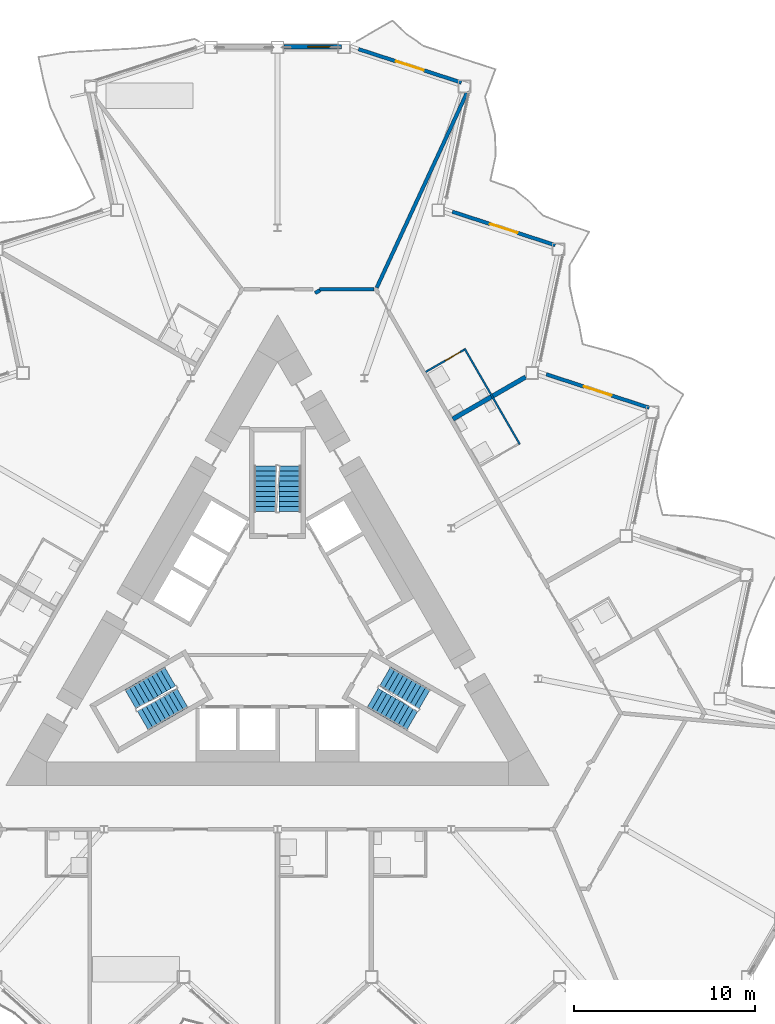
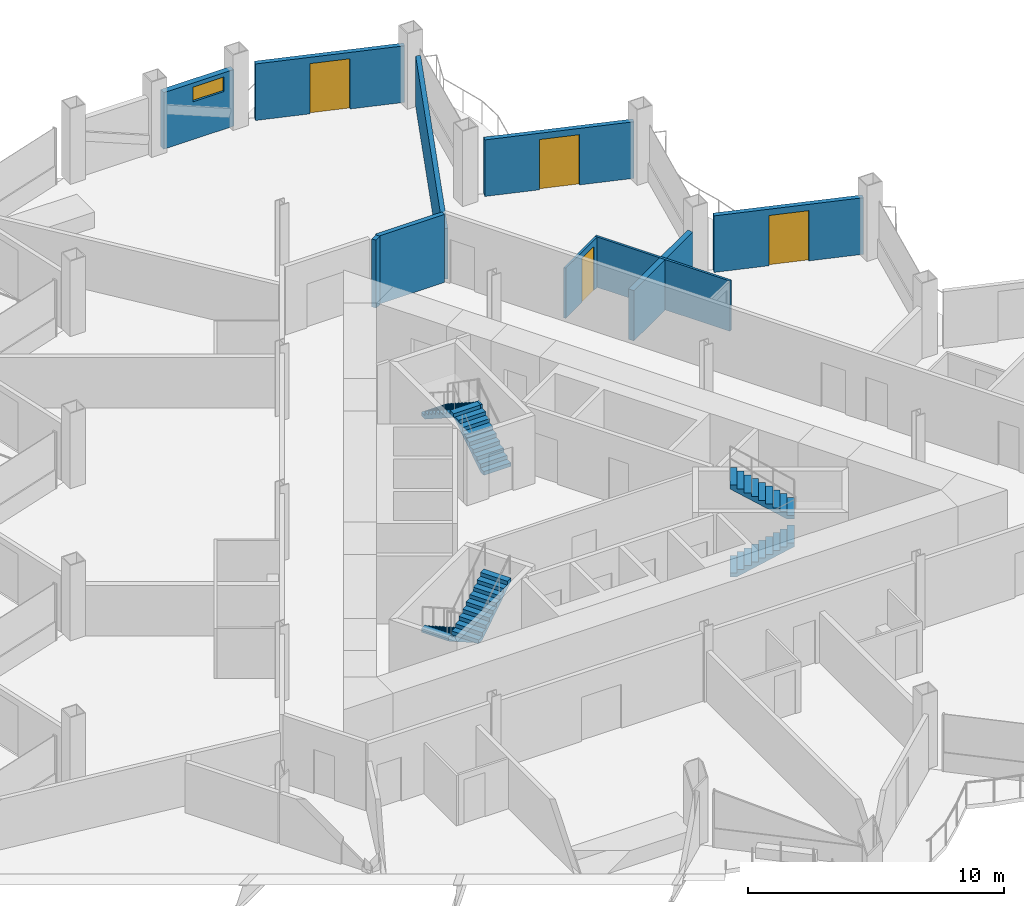
# One storey, part 15 of 23: 10 walls, 6 stair flights, 4 doors, 1 window, 5 openings, 3 elements without a shape of their own.
"""IFC4 building model written with IfcOpenShell, lengths in metres."""

from ifc_helpers import new_model, si_unit, direction, frame, frame_2d, origin, place, context, subcontext, project, spatial, polyline, rectangle, outline, extrude, material, layer, layer_set, type_object, element, fill, aggregate, save


model = new_model("IFC4")

# Units and contexts
model_context = context("Model", 3, precision=1e-05, world=origin(), true_north=direction((0.0, 1.0)))
body_context = subcontext(model_context, "Body", "Model", "MODEL_VIEW")
ifc_project = project(units=[si_unit("LENGTHUNIT", "METRE"), si_unit("AREAUNIT", "SQUARE_METRE"), si_unit("VOLUMEUNIT", "CUBIC_METRE"), si_unit("PLANEANGLEUNIT", "RADIAN"), si_unit("MASSUNIT", "GRAM", prefix="KILO")], contexts=[model_context])

# Site, building, storey
site_placement = place(None, origin())
site = spatial("IfcSite", under=ifc_project, at=site_placement, CompositionType="ELEMENT")
building_placement = place(site_placement, origin())
building = spatial("IfcBuilding", under=site, at=building_placement, Name="Cormorant Prow Tower", CompositionType="ELEMENT")
storey_placement = place(building_placement, frame((0.0, 0.0, 252.60009765625)))
storey = spatial("IfcBuildingStorey", under=building, at=storey_placement, Name="L56", CompositionType="ELEMENT", Elevation=252.60009765625)

# Walls
ifc_material_1 = material(Name="Gypsum board corridor wall")
ifc_layer_1 = layer(ifc_material_1, 0.199951171875)
ifc_layer_set_1 = layer_set([ifc_layer_1], Name="Gypsum board corridor wall")
wall_type_1 = type_object("IfcWallType", Name="Corridor wall 200", PredefinedType="PARTITIONING", material=ifc_layer_set_1)
wall_1_placement = place(storey_placement, frame((2.324951171875, 18.720458984375, 0.0), z_axis=(0.0, 0.0, 1.0), x_axis=(1.0, 0.0, 0.0)))
element("IfcWall", 1, at=wall_1_placement, inside=storey, type_object=wall_type_1, Name="Corridor wall", PredefinedType="PARTITIONING", context=body_context, shape_type="SweptSolid", body=[
    extrude(rectangle(XDim=3.002197265625, YDim=0.199951171875, at=frame_2d((1.5009765625, 0.0))), origin(), (0.0, 0.0, 1.0), 3.25),
])
wall_2_placement = place(storey_placement, frame((2.06982421875, 18.515380859375, 0.0), z_axis=(0.0, 0.0, 1.0), x_axis=(0.866054481515, 0.499949632511, 0.0)))
element("IfcWall", 2, at=wall_2_placement, inside=storey, type_object=wall_type_1, Name="Corridor wall", PredefinedType="PARTITIONING", context=body_context, shape_type="SweptSolid", body=[
    extrude(rectangle(XDim=0.31005859375, YDim=0.199951171875, at=frame_2d((0.155029296875, 0.0))), origin(), (0.0, 0.0, 1.0), 3.25),
])
ifc_material_2 = material(Name="Gypsum board demising wall")
ifc_layer_2 = layer(ifc_material_2, 0.199951171875)
ifc_layer_set_2 = layer_set([ifc_layer_2], Name="Gypsum board demising wall")
wall_type_2 = type_object("IfcWallType", Name="Demising wall 200", PredefinedType="PARTITIONING", material=ifc_layer_set_2)
wall_3_placement = place(storey_placement, frame((5.46923828125, 18.81103515625, 0.0), z_axis=(0.0, 0.0, 1.0), x_axis=(0.419996836618, 0.907525568362, 0.0)))
element("IfcWall", 3, at=wall_3_placement, inside=storey, type_object=wall_type_2, Name="Demising wall", PredefinedType="PARTITIONING", context=body_context, shape_type="SweptSolid", body=[
    extrude(rectangle(XDim=11.83984375, YDim=0.199951171875, at=frame_2d((5.919921875, 0.0))), origin(), (0.0, 0.0, 1.0), 2.404052734375),
])
ifc_material_3 = material(Name="Gypsum board partition")
ifc_layer_3 = layer(ifc_material_3, 0.10009765625)
ifc_layer_set_3 = layer_set([ifc_layer_3], Name="Gypsum board partition")
wall_type_3 = type_object("IfcWallType", Name="Internal partition 100", PredefinedType="PARTITIONING", material=ifc_layer_set_3)
wall_4_placement = place(storey_placement, frame((10.3134765625, 15.45703125, 0.0), z_axis=(0.0, 0.0, 1.0), x_axis=(0.499978833458, -0.866037623948, 0.0)))
element("IfcWall", 4, at=wall_4_placement, inside=storey, type_object=wall_type_3, Name="Internal partition", PredefinedType="PARTITIONING", context=body_context, shape_type="SweptSolid", body=[
    extrude(rectangle(XDim=6.099853515625, YDim=0.10009765625, at=frame_2d((3.0498046875, 0.0))), origin(), (0.0, 0.0, 1.0), 2.404052734375),
])

# Wall, opening, door
wall_5_placement = place(storey_placement, frame((8.17333984375, 14.163818359375, 0.0), z_axis=(0.0, 0.0, 1.0), x_axis=(0.866014668023, 0.500018594424, 0.0)))
wall_5 = element("IfcWall", 5, at=wall_5_placement, inside=storey, type_object=wall_type_3, Name="Internal partition", PredefinedType="PARTITIONING", context=body_context, shape_type="SweptSolid", body=[
    extrude(rectangle(XDim=2.4501953125, YDim=0.10009765625, at=frame_2d((1.22509765625, 0.0))), origin(), (0.0, 0.0, 1.0), 2.404052734375),
])
opening_1_placement = place(wall_5_placement, frame((1.25, 0.0, 0.0)))
opening_1 = element("IfcOpeningElement", 6, at=opening_1_placement, cuts=wall_5, Name="Opening L56-F17", PredefinedType="OPENING", context=body_context, shape_type="SweptSolid", body=[
    extrude(rectangle(XDim=0.949951171875, YDim=2.10009765625, at=frame_2d((0.47509765625, 1.050048828125))), frame((0.0, 0.06005859375, 0.0), z_axis=(0.0, -1.0, 0.0), x_axis=(1.0, 0.0, 0.0)), (0.0, 0.0, 1.0), 0.1201171875),
])
ifc_material_4 = material(Name="Timber door leaf", Category="wood")
door_type_1 = type_object("IfcDoorType", Name="Bathroom door 950x2100", OperationType="NOTDEFINED", PredefinedType="DOOR", material=ifc_material_4)
door_1_placement = place(opening_1_placement, origin())
door_1 = element("IfcDoor", 7, at=door_1_placement, inside=storey, type_object=door_type_1, Name="Executive suite bedroom door", OperationType="SINGLE_SWING_RIGHT", OverallHeight=2.10009765625, OverallWidth=0.949951171875, PredefinedType="DOOR", context=body_context, shape_type="SweptSolid", body=[
    extrude(rectangle(XDim=0.949951171875, YDim=2.10009765625, at=frame_2d((0.47509765625, 1.050048828125))), frame((0.0, 0.02490234375, 0.0), z_axis=(0.0, -1.0, 0.0), x_axis=(1.0, 0.0, 0.0)), (0.0, 0.0, 1.0), 0.050048828125),
])
fill(opening_1, door_1)

# Wall
ifc_material_5 = material(Name="Acoustic gypsum party wall")
ifc_layer_4 = layer(ifc_material_5, 0.25)
ifc_layer_set_4 = layer_set([ifc_layer_4], Name="Acoustic gypsum party wall")
wall_type_4 = type_object("IfcWallType", Name="Suite party wall 250", PredefinedType="PARTITIONING", material=ifc_layer_set_4)
wall_6_placement = place(storey_placement, frame((9.67333984375, 11.565673828125, 0.0), z_axis=(0.0, 0.0, 1.0), x_axis=(0.866039966287, 0.499974776157, 0.0)))
element("IfcWall", 8, at=wall_6_placement, inside=storey, type_object=wall_type_4, Name="Suite party wall", PredefinedType="PARTITIONING", context=body_context, shape_type="SweptSolid", body=[
    extrude(rectangle(XDim=4.634521484375, YDim=0.25, at=frame_2d((2.3173828125, 0.0))), origin(), (0.0, 0.0, 1.0), 2.404052734375),
])

# Wall, opening, window
ifc_material_6 = material(Name="Terracotta", Category="masonry")
ifc_layer_5 = layer(ifc_material_6, 0.25)
ifc_layer_set_5 = layer_set([ifc_layer_5], Name="Terracotta")
wall_type_5 = type_object("IfcWallType", Name="Terracotta bay wall 250", PredefinedType="SOLIDWALL", material=ifc_layer_set_5)
wall_7_placement = place(storey_placement, frame((3.518798828125, 32.099609375, 0.0), z_axis=(0.0, 0.0, 1.0), x_axis=(-1.0, 0.0, 0.0)))
wall_7 = element("IfcWall", 9, at=wall_7_placement, inside=storey, type_object=wall_type_5, Name="Terracotta bay wall N00", PredefinedType="SOLIDWALL", context=body_context, shape_type="SweptSolid", body=[
    extrude(rectangle(XDim=3.168701171875, YDim=0.25, at=frame_2d((1.58447265625, 0.0))), origin(), (0.0, 0.0, 1.0), 2.70068359375),
])
opening_2_placement = place(wall_7_placement, frame((0.449951171875, 0.0, 1.800048828125)))
opening_2 = element("IfcOpeningElement", 10, at=opening_2_placement, cuts=wall_7, Name="Opening WN4", PredefinedType="OPENING", context=body_context, shape_type="SweptSolid", body=[
    extrude(rectangle(XDim=1.39990234375, YDim=0.699951171875, at=frame_2d((0.699951171875, 0.35009765625))), frame((0.0, 0.135009765625, 0.0), z_axis=(0.0, -1.0, 0.0), x_axis=(1.0, 0.0, 0.0)), (0.0, 0.0, 1.0), 0.27001953125),
])
ifc_material_7 = material(Name="Aluminium 6063-T6", Category="aluminium")
window_type = type_object("IfcWindowType", Name="Corner bay window 1400x700", PartitioningType="SINGLE_PANEL", PredefinedType="WINDOW", material=ifc_material_7)
window_placement = place(opening_2_placement, origin())
window = element("IfcWindow", 11, at=window_placement, inside=storey, type_object=window_type, Name="Corner bay window N00", OverallHeight=0.699951171875, OverallWidth=1.39990234375, PartitioningType="SINGLE_PANEL", PredefinedType="WINDOW", context=body_context, shape_type="SweptSolid", body=[
    extrude(rectangle(XDim=1.39990234375, YDim=0.699951171875, at=frame_2d((0.699951171875, 0.35009765625))), frame((0.0, 0.030029296875, 0.0), z_axis=(0.0, -1.0, 0.0), x_axis=(1.0, 0.0, 0.0)), (0.0, 0.0, 1.0), 0.06005859375),
])
fill(opening_2, window)

# Wall, opening, door
ifc_material_8 = material(Name="Terracotta", Category="masonry")
ifc_layer_6 = layer(ifc_material_8, 0.199951171875)
ifc_layer_set_6 = layer_set([ifc_layer_6], Name="Terracotta")
wall_type_6 = type_object("IfcWallType", Name="Terracotta jamb wall 200", PredefinedType="SOLIDWALL", material=ifc_layer_set_6)
wall_8_placement = place(storey_placement, frame((20.5, 12.188232421875, 0.0), z_axis=(0.0, 0.0, 1.0), x_axis=(-0.951053307318, 0.309026870418, 0.0)))
wall_8 = element("IfcWall", 12, at=wall_8_placement, inside=storey, type_object=wall_type_6, Name="Terracotta jamb wall ENE05", PredefinedType="SOLIDWALL", context=body_context, shape_type="SweptSolid", body=[
    extrude(rectangle(XDim=5.9677734375, YDim=0.199951171875, at=frame_2d((2.98388671875, 0.0))), origin(), (0.0, 0.0, 1.0), 2.70068359375),
])
opening_3_placement = place(wall_8_placement, frame((2.183837890625, 0.0, 0.0)))
opening_3 = element("IfcOpeningElement", 13, at=opening_3_placement, cuts=wall_8, Name="Opening ED56.08", PredefinedType="OPENING", context=body_context, shape_type="SweptSolid", body=[
    extrude(rectangle(XDim=1.60009765625, YDim=2.39990234375, at=frame_2d((0.800048828125, 1.199951171875))), frame((0.0, 0.10986328125, 0.0), z_axis=(0.0, -1.0, 0.0), x_axis=(1.0, 0.0, 0.0)), (0.0, 0.0, 1.0), 0.219970703125),
])
ifc_material_9 = material(Name="Aluminium 6063-T6", Category="aluminium")
door_type_2 = type_object("IfcDoorType", Name="Balcony door 1600x2400", OperationType="DOUBLE_DOOR_SINGLE_SWING", PredefinedType="DOOR", material=ifc_material_9)
door_2_placement = place(opening_3_placement, origin())
door_2 = element("IfcDoor", 14, at=door_2_placement, inside=storey, type_object=door_type_2, Name="Balcony door ENE05 ED56.08", OperationType="DOUBLE_DOOR_SINGLE_SWING", OverallHeight=2.39990234375, OverallWidth=1.60009765625, PredefinedType="DOOR", context=body_context, shape_type="SweptSolid", body=[
    extrude(rectangle(XDim=1.60009765625, YDim=2.39990234375, at=frame_2d((0.800048828125, 1.199951171875))), frame((0.0, 0.02490234375, 0.0), z_axis=(0.0, -1.0, 0.0), x_axis=(1.0, 0.0, 0.0)), (0.0, 0.0, 1.0), 0.050048828125),
])
fill(opening_3, door_2)

wall_9_placement = place(storey_placement, frame((15.320556640625, 21.159423828125, 0.0), z_axis=(0.0, 0.0, 1.0), x_axis=(-0.951053307318, 0.309026870418, 0.0)))
wall_9 = element("IfcWall", 15, at=wall_9_placement, inside=storey, type_object=wall_type_6, Name="Terracotta jamb wall ENE07", PredefinedType="SOLIDWALL", context=body_context, shape_type="SweptSolid", body=[
    extrude(rectangle(XDim=5.9677734375, YDim=0.199951171875, at=frame_2d((2.98388671875, 0.0))), origin(), (0.0, 0.0, 1.0), 2.70068359375),
])
opening_4_placement = place(wall_9_placement, frame((2.183837890625, 0.0, 0.0)))
opening_4 = element("IfcOpeningElement", 16, at=opening_4_placement, cuts=wall_9, Name="Opening ED56.09", PredefinedType="OPENING", context=body_context, shape_type="SweptSolid", body=[
    extrude(rectangle(XDim=1.60009765625, YDim=2.39990234375, at=frame_2d((0.800048828125, 1.199951171875))), frame((0.0, 0.10986328125, 0.0), z_axis=(0.0, -1.0, 0.0), x_axis=(1.0, 0.0, 0.0)), (0.0, 0.0, 1.0), 0.219970703125),
])
door_3_placement = place(opening_4_placement, origin())
door_3 = element("IfcDoor", 17, at=door_3_placement, inside=storey, type_object=door_type_2, Name="Balcony door ENE07 ED56.09", OperationType="DOUBLE_DOOR_SINGLE_SWING", OverallHeight=2.39990234375, OverallWidth=1.60009765625, PredefinedType="DOOR", context=body_context, shape_type="SweptSolid", body=[
    extrude(rectangle(XDim=1.60009765625, YDim=2.39990234375, at=frame_2d((0.800048828125, 1.199951171875))), frame((0.0, 0.02490234375, 0.0), z_axis=(0.0, -1.0, 0.0), x_axis=(1.0, 0.0, 0.0)), (0.0, 0.0, 1.0), 0.050048828125),
])
fill(opening_4, door_3)

wall_10_placement = place(storey_placement, frame((10.140869140625, 30.130615234375, 0.0), z_axis=(0.0, 0.0, 1.0), x_axis=(-0.951049400374, 0.309038894069, 0.0)))
wall_10 = element("IfcWall", 18, at=wall_10_placement, inside=storey, type_object=wall_type_6, Name="Terracotta jamb wall ENE09", PredefinedType="SOLIDWALL", context=body_context, shape_type="SweptSolid", body=[
    extrude(rectangle(XDim=5.9677734375, YDim=0.199951171875, at=frame_2d((2.98388671875, 0.0))), origin(), (0.0, 0.0, 1.0), 2.70068359375),
])
opening_5_placement = place(wall_10_placement, frame((2.183837890625, 0.0, 0.0)))
opening_5 = element("IfcOpeningElement", 19, at=opening_5_placement, cuts=wall_10, Name="Opening ED56.10", PredefinedType="OPENING", context=body_context, shape_type="SweptSolid", body=[
    extrude(rectangle(XDim=1.60009765625, YDim=2.39990234375, at=frame_2d((0.800048828125, 1.199951171875))), frame((0.0, 0.10986328125, 0.0), z_axis=(0.0, -1.0, 0.0), x_axis=(1.0, 0.0, 0.0)), (0.0, 0.0, 1.0), 0.219970703125),
])
door_4_placement = place(opening_5_placement, origin())
door_4 = element("IfcDoor", 20, at=door_4_placement, inside=storey, type_object=door_type_2, Name="Balcony door ENE09 ED56.10", OperationType="DOUBLE_DOOR_SINGLE_SWING", OverallHeight=2.39990234375, OverallWidth=1.60009765625, PredefinedType="DOOR", context=body_context, shape_type="SweptSolid", body=[
    extrude(rectangle(XDim=1.60009765625, YDim=2.39990234375, at=frame_2d((0.800048828125, 1.199951171875))), frame((0.0, 0.02490234375, 0.0), z_axis=(0.0, -1.0, 0.0), x_axis=(1.0, 0.0, 0.0)), (0.0, 0.0, 1.0), 0.050048828125),
])
fill(opening_5, door_4)

# Stair, stair flights
ifc_material_10 = material(Name="Exit stair 20 risers")
stair_type = type_object("IfcStairType", Name="Exit stair 20 risers", PredefinedType="HALF_TURN_STAIR", material=ifc_material_10)
stair_1_placement = place(storey_placement, origin())
stair_1 = element("IfcStair", 21, at=stair_1_placement, inside=storey, type_object=stair_type, Name="L56 Exit stair ST1", PredefinedType="HALF_TURN_STAIR")
ifc_material_11 = material(Name="Concrete 5000 psi", Category="concrete")
stair_flight_type = type_object("IfcStairFlightType", Name="Stair flight 1219", PredefinedType="STRAIGHT", material=ifc_material_11)
stair_flight_1_placement = place(storey_placement, frame((-5.93310546875, -2.635009765625, 0.0), z_axis=(0.0, 0.0, 1.0), x_axis=(-0.866025403784, -0.5, 0.0)))
stair_flight_1 = element("IfcStairFlight", 22, at=stair_flight_1_placement, type_object=stair_flight_type, Name="ST1 flight 1", NumberOfRisers=10, NumberOfTreads=9, PredefinedType="STRAIGHT", RiserHeight=0.18, TreadLength=0.28, context=body_context, shape_type="SweptSolid", body=[
    extrude(outline(polyline([(0.0, 0.0), (0.0, 0.179931640625), (0.280029296875, 0.179931640625), (0.280029296875, 0.360107421875), (0.56005859375, 0.360107421875), (0.56005859375, 0.5400390625), (0.840087890625, 0.5400390625), (0.840087890625, 0.719970703125), (1.1201171875, 0.719970703125), (1.1201171875, 0.89990234375), (1.39990234375, 0.89990234375), (1.39990234375, 1.080078125), (1.679931640625, 1.080078125), (1.679931640625, 1.260009765625), (1.9599609375, 1.260009765625), (1.9599609375, 1.43994140625), (2.239990234375, 1.43994140625), (2.239990234375, 1.6201171875), (2.52001953125, 1.6201171875), (2.52001953125, 1.800048828125), (2.52001953125, 1.44189453125), (0.277099609375, 0.0), (0.0, 0.0)])), frame((0.0, 0.609375, 0.0), z_axis=(0.0, -1.0, 0.0), x_axis=(1.0, 0.0, 0.0)), (0.0, 0.0, 1.0), 1.218994140625),
])
stair_flight_2_placement = place(storey_placement, frame((-7.43115234375, -5.080810546875, 1.7998046875), z_axis=(0.0, 0.0, 1.0), x_axis=(0.866025403784, 0.5, 0.0)))
stair_flight_2 = element("IfcStairFlight", 23, at=stair_flight_2_placement, type_object=stair_flight_type, Name="ST1 flight 2", NumberOfRisers=10, NumberOfTreads=9, PredefinedType="STRAIGHT", RiserHeight=0.18, TreadLength=0.28, context=body_context, shape_type="SweptSolid", body=[
    extrude(outline(polyline([(0.0, 0.0), (0.0, 0.179931640625), (0.280029296875, 0.179931640625), (0.280029296875, 0.360107421875), (0.56005859375, 0.360107421875), (0.56005859375, 0.5400390625), (0.840087890625, 0.5400390625), (0.840087890625, 0.719970703125), (1.1201171875, 0.719970703125), (1.1201171875, 0.89990234375), (1.39990234375, 0.89990234375), (1.39990234375, 1.080078125), (1.679931640625, 1.080078125), (1.679931640625, 1.260009765625), (1.9599609375, 1.260009765625), (1.9599609375, 1.43994140625), (2.239990234375, 1.43994140625), (2.239990234375, 1.6201171875), (2.52001953125, 1.6201171875), (2.52001953125, 1.800048828125), (2.52001953125, 1.44189453125), (0.277099609375, 0.0), (0.0, 0.0)])), frame((0.0, 0.609375, 0.0), z_axis=(0.0, -1.0, 0.0), x_axis=(1.0, 0.0, 0.0)), (0.0, 0.0, 1.0), 1.218994140625),
])
aggregate(stair_1, [stair_flight_1, stair_flight_2])

stair_2_placement = place(storey_placement, origin())
stair_2 = element("IfcStair", 24, at=stair_2_placement, inside=storey, type_object=stair_type, Name="L56 Exit stair ST2", PredefinedType="HALF_TURN_STAIR")
stair_flight_3_placement = place(storey_placement, frame((5.24853515625, -3.82080078125, 0.0), z_axis=(0.0, 0.0, 1.0), x_axis=(0.866025403784, -0.5, 0.0)))
stair_flight_3 = element("IfcStairFlight", 25, at=stair_flight_3_placement, type_object=stair_flight_type, Name="ST2 flight 1", NumberOfRisers=10, NumberOfTreads=9, PredefinedType="STRAIGHT", RiserHeight=0.18, TreadLength=0.28, context=body_context, shape_type="SweptSolid", body=[
    extrude(outline(polyline([(0.0, 0.0), (0.0, 0.179931640625), (0.280029296875, 0.179931640625), (0.280029296875, 0.360107421875), (0.56005859375, 0.360107421875), (0.56005859375, 0.5400390625), (0.840087890625, 0.5400390625), (0.840087890625, 0.719970703125), (1.1201171875, 0.719970703125), (1.1201171875, 0.89990234375), (1.39990234375, 0.89990234375), (1.39990234375, 1.080078125), (1.679931640625, 1.080078125), (1.679931640625, 1.260009765625), (1.9599609375, 1.260009765625), (1.9599609375, 1.43994140625), (2.239990234375, 1.43994140625), (2.239990234375, 1.6201171875), (2.52001953125, 1.6201171875), (2.52001953125, 1.800048828125), (2.52001953125, 1.44189453125), (0.277099609375, 0.0), (0.0, 0.0)])), frame((0.0, 0.609375, 0.0), z_axis=(0.0, -1.0, 0.0), x_axis=(1.0, 0.0, 0.0)), (0.0, 0.0, 1.0), 1.218994140625),
])
stair_flight_4_placement = place(storey_placement, frame((8.115478515625, -3.89501953125, 1.7998046875), z_axis=(0.0, 0.0, 1.0), x_axis=(-0.866025403784, 0.5, 0.0)))
stair_flight_4 = element("IfcStairFlight", 26, at=stair_flight_4_placement, type_object=stair_flight_type, Name="ST2 flight 2", NumberOfRisers=10, NumberOfTreads=9, PredefinedType="STRAIGHT", RiserHeight=0.18, TreadLength=0.28, context=body_context, shape_type="SweptSolid", body=[
    extrude(outline(polyline([(0.0, 0.0), (0.0, 0.179931640625), (0.280029296875, 0.179931640625), (0.280029296875, 0.360107421875), (0.56005859375, 0.360107421875), (0.56005859375, 0.5400390625), (0.840087890625, 0.5400390625), (0.840087890625, 0.719970703125), (1.1201171875, 0.719970703125), (1.1201171875, 0.89990234375), (1.39990234375, 0.89990234375), (1.39990234375, 1.080078125), (1.679931640625, 1.080078125), (1.679931640625, 1.260009765625), (1.9599609375, 1.260009765625), (1.9599609375, 1.43994140625), (2.239990234375, 1.43994140625), (2.239990234375, 1.6201171875), (2.52001953125, 1.6201171875), (2.52001953125, 1.800048828125), (2.52001953125, 1.44189453125), (0.277099609375, 0.0), (0.0, 0.0)])), frame((0.0, 0.609375, 0.0), z_axis=(0.0, -1.0, 0.0), x_axis=(1.0, 0.0, 0.0)), (0.0, 0.0, 1.0), 1.218994140625),
])
aggregate(stair_2, [stair_flight_3, stair_flight_4])

stair_3_placement = place(storey_placement, origin())
stair_3 = element("IfcStair", 27, at=stair_3_placement, inside=storey, type_object=stair_type, Name="L56 Exit stair ST3", PredefinedType="HALF_TURN_STAIR")
stair_flight_5_placement = place(storey_placement, frame((0.6845703125, 6.455810546875, 0.0), z_axis=(0.0, 0.0, 1.0), x_axis=(0.0, 1.0, 0.0)))
stair_flight_5 = element("IfcStairFlight", 28, at=stair_flight_5_placement, type_object=stair_flight_type, Name="ST3 flight 1", NumberOfRisers=10, NumberOfTreads=9, PredefinedType="STRAIGHT", RiserHeight=0.18, TreadLength=0.28, context=body_context, shape_type="SweptSolid", body=[
    extrude(outline(polyline([(0.0, 0.0), (0.0, 0.179931640625), (0.280029296875, 0.179931640625), (0.280029296875, 0.360107421875), (0.56005859375, 0.360107421875), (0.56005859375, 0.5400390625), (0.840087890625, 0.5400390625), (0.840087890625, 0.719970703125), (1.1201171875, 0.719970703125), (1.1201171875, 0.89990234375), (1.39990234375, 0.89990234375), (1.39990234375, 1.080078125), (1.679931640625, 1.080078125), (1.679931640625, 1.260009765625), (1.9599609375, 1.260009765625), (1.9599609375, 1.43994140625), (2.239990234375, 1.43994140625), (2.239990234375, 1.6201171875), (2.52001953125, 1.6201171875), (2.52001953125, 1.800048828125), (2.52001953125, 1.44189453125), (0.277099609375, 0.0), (0.0, 0.0)])), frame((0.0, 0.609375, 0.0), z_axis=(0.0, -1.0, 0.0), x_axis=(1.0, 0.0, 0.0)), (0.0, 0.0, 1.0), 1.218994140625),
])
stair_flight_6_placement = place(storey_placement, frame((-0.6845703125, 8.975830078125, 1.7998046875), z_axis=(0.0, 0.0, 1.0), x_axis=(0.0, -1.0, 0.0)))
stair_flight_6 = element("IfcStairFlight", 29, at=stair_flight_6_placement, type_object=stair_flight_type, Name="ST3 flight 2", NumberOfRisers=10, NumberOfTreads=9, PredefinedType="STRAIGHT", RiserHeight=0.18, TreadLength=0.28, context=body_context, shape_type="SweptSolid", body=[
    extrude(outline(polyline([(0.0, 0.0), (0.0, 0.179931640625), (0.280029296875, 0.179931640625), (0.280029296875, 0.360107421875), (0.56005859375, 0.360107421875), (0.56005859375, 0.5400390625), (0.840087890625, 0.5400390625), (0.840087890625, 0.719970703125), (1.1201171875, 0.719970703125), (1.1201171875, 0.89990234375), (1.39990234375, 0.89990234375), (1.39990234375, 1.080078125), (1.679931640625, 1.080078125), (1.679931640625, 1.260009765625), (1.9599609375, 1.260009765625), (1.9599609375, 1.43994140625), (2.239990234375, 1.43994140625), (2.239990234375, 1.6201171875), (2.52001953125, 1.6201171875), (2.52001953125, 1.800048828125), (2.52001953125, 1.44189453125), (0.277099609375, 0.0), (0.0, 0.0)])), frame((0.0, 0.609375, 0.0), z_axis=(0.0, -1.0, 0.0), x_axis=(1.0, 0.0, 0.0)), (0.0, 0.0, 1.0), 1.218994140625),
])
aggregate(stair_3, [stair_flight_5, stair_flight_6])

save(model, "model.ifc")
